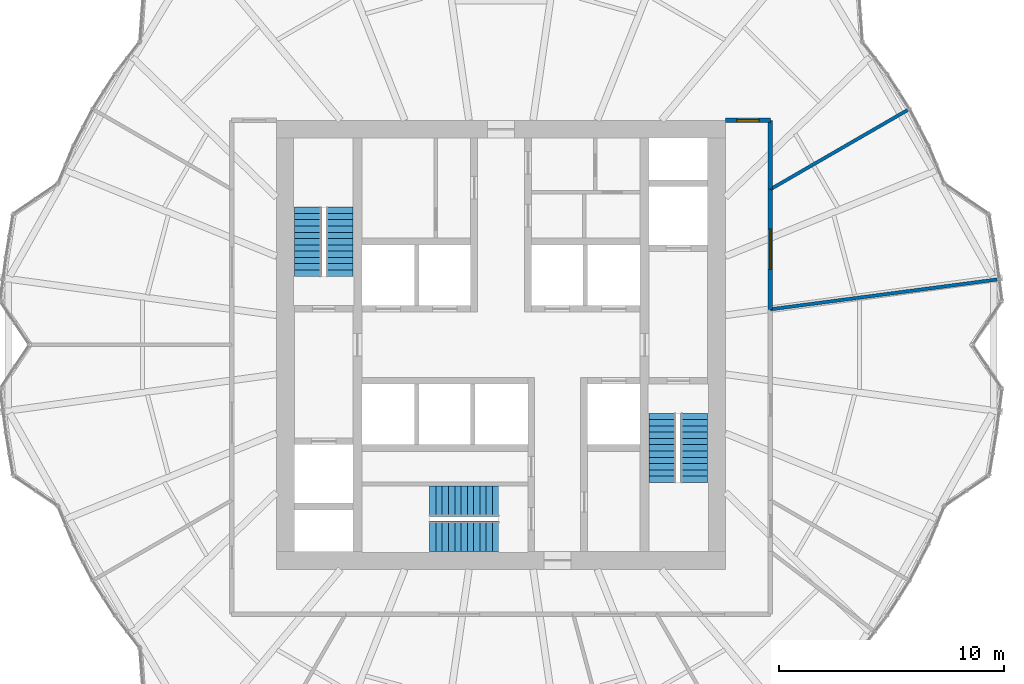
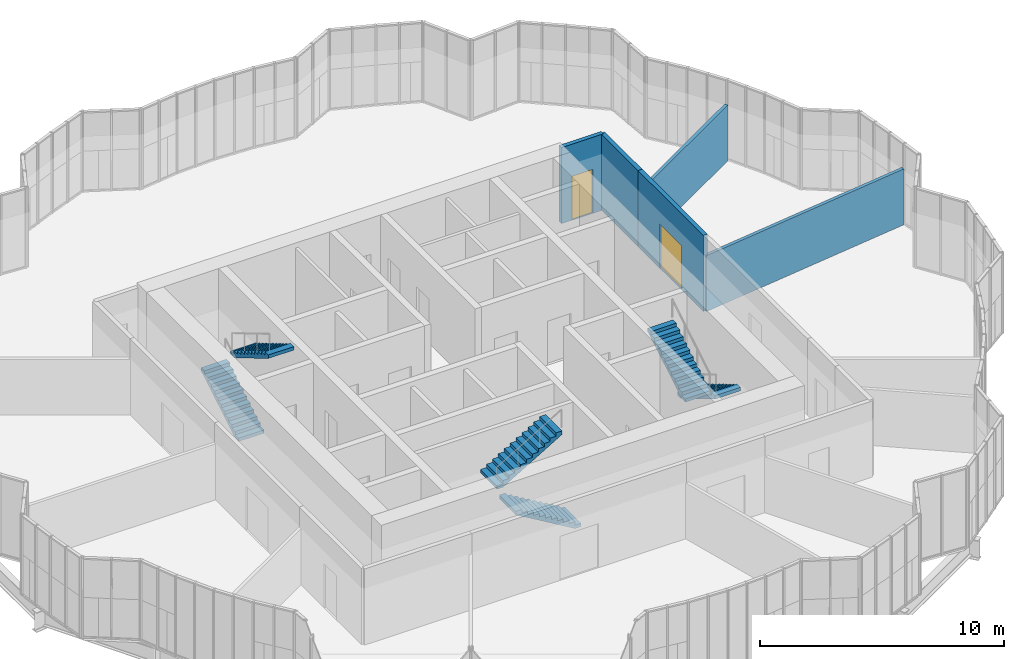
# One storey, part 21 of 22: 6 stair flights, 5 walls, 2 doors, 2 openings, 3 elements without a shape of their own.
"""IFC4 building model written with IfcOpenShell, lengths in metres."""

from ifc_helpers import new_model, si_unit, direction, frame, frame_2d, origin, place, context, subcontext, project, spatial, polyline, rectangle, outline, extrude, material, layer, layer_set, type_object, element, fill, aggregate, save


model = new_model("IFC4")

# Units and contexts
model_context = context("Model", 3, precision=1e-05, world=origin(), true_north=direction((0.0, 1.0)))
body_context = subcontext(model_context, "Body", "Model", "MODEL_VIEW")
ifc_project = project(units=[si_unit("LENGTHUNIT", "METRE"), si_unit("AREAUNIT", "SQUARE_METRE"), si_unit("VOLUMEUNIT", "CUBIC_METRE"), si_unit("PLANEANGLEUNIT", "RADIAN"), si_unit("MASSUNIT", "GRAM", prefix="KILO")], contexts=[model_context])

# Site, building, storey
site_placement = place(None, origin())
site = spatial("IfcSite", under=ifc_project, at=site_placement, CompositionType="ELEMENT")
building_placement = place(site_placement, origin())
building = spatial("IfcBuilding", under=site, at=building_placement, Name="Golbaran Civic Tower", CompositionType="ELEMENT")
storey_placement = place(building_placement, frame((0.0, 0.0, 29.0)))
storey = spatial("IfcBuildingStorey", under=building, at=storey_placement, Name="L06", CompositionType="ELEMENT", Elevation=29.0)

# Wall, opening, door
ifc_material_1 = material(Name="Gypsum board on steel studs, fire-rated", Category="steel")
ifc_layer_1 = layer(ifc_material_1, 0.199951171875, Name="Gypsum board on steel studs, fire-rated")
ifc_layer_set_1 = layer_set([ifc_layer_1], Name="Gypsum board on steel studs, fire-rated")
wall_type_1 = type_object("IfcWallType", Name="CORRIDOR WALL 200", PredefinedType="PARTITIONING", material=ifc_layer_set_1)
wall_1_placement = place(storey_placement, frame((12.0, 1.579833984375, 0.0), z_axis=(0.0, 0.0, 1.0), x_axis=(0.0, 1.0, 0.0)))
wall_1 = element("IfcWall", 1, at=wall_1_placement, inside=storey, type_object=wall_type_1, Name="Corridor wall L06", PredefinedType="PARTITIONING", context=body_context, shape_type="SweptSolid", body=[
    extrude(rectangle(XDim=5.348388671875, YDim=0.199951171875, at=frame_2d((2.67431640625, 0.0))), origin(), (0.0, 0.0, 1.0), 3.800048828125),
])
opening_1_placement = place(wall_1_placement, frame((1.774169921875, 0.0, 0.0)))
opening_1 = element("IfcOpeningElement", 2, at=opening_1_placement, cuts=wall_1, Name="Opening L06.03", PredefinedType="OPENING", context=body_context, shape_type="SweptSolid", body=[
    extrude(rectangle(XDim=1.800048828125, YDim=2.199951171875, at=frame_2d((0.89990234375, 1.10009765625))), frame((0.0, 0.10986328125, 0.0), z_axis=(0.0, -1.0, 0.0), x_axis=(1.0, 0.0, 0.0)), (0.0, 0.0, 1.0), 0.219970703125),
])
ifc_material_2 = material(Name="Timber door set in steel frame", Category="steel")
door_type_1 = type_object("IfcDoorType", Name="OFFICE DOUBLE DOOR 1800x2200", OperationType="DOUBLE_DOOR_SINGLE_SWING", PredefinedType="DOOR", material=ifc_material_2)
door_1_placement = place(opening_1_placement, origin())
door_1 = element("IfcDoor", 3, at=door_1_placement, inside=storey, type_object=door_type_1, Name="Open Office door L06", OperationType="DOUBLE_DOOR_SINGLE_SWING", OverallHeight=2.199951171875, OverallWidth=1.800048828125, PredefinedType="DOOR", context=body_context, shape_type="SweptSolid", body=[
    extrude(rectangle(XDim=1.800048828125, YDim=2.199951171875, at=frame_2d((0.89990234375, 1.10009765625))), frame((0.0, 0.02490234375, 0.0), z_axis=(0.0, -1.0, 0.0), x_axis=(1.0, 0.0, 0.0)), (0.0, 0.0, 1.0), 0.050048828125),
])
fill(opening_1, door_1)

# Wall
wall_2_placement = place(storey_placement, frame((12.0, 6.92822265625, 0.0), z_axis=(0.0, 0.0, 1.0), x_axis=(0.0, 1.0, 0.0)))
element("IfcWall", 4, at=wall_2_placement, inside=storey, type_object=wall_type_1, Name="Corridor wall L06", PredefinedType="PARTITIONING", context=body_context, shape_type="SweptSolid", body=[
    extrude(rectangle(XDim=3.07177734375, YDim=0.199951171875, at=frame_2d((1.535888671875, 0.0))), origin(), (0.0, 0.0, 1.0), 3.800048828125),
])

# Wall, opening, door
wall_3_placement = place(storey_placement, frame((10.0, 10.0, 0.0), z_axis=(0.0, 0.0, 1.0), x_axis=(1.0, 0.0, 0.0)))
wall_3 = element("IfcWall", 5, at=wall_3_placement, inside=storey, type_object=wall_type_1, Name="Corridor end wall L06", PredefinedType="PARTITIONING", context=body_context, shape_type="SweptSolid", body=[
    extrude(rectangle(XDim=2.0, YDim=0.199951171875, at=frame_2d((1.0, 0.0))), origin(), (0.0, 0.0, 1.0), 3.800048828125),
])
opening_2_placement = place(wall_3_placement, frame((0.5, 0.0, 0.0)))
opening_2 = element("IfcOpeningElement", 6, at=opening_2_placement, cuts=wall_3, Name="Opening L06.13", PredefinedType="OPENING", context=body_context, shape_type="SweptSolid", body=[
    extrude(rectangle(XDim=1.0, YDim=2.199951171875, at=frame_2d((0.5, 1.10009765625))), frame((0.0, 0.10986328125, 0.0), z_axis=(0.0, -1.0, 0.0), x_axis=(1.0, 0.0, 0.0)), (0.0, 0.0, 1.0), 0.219970703125),
])
door_type_2 = type_object("IfcDoorType", Name="OFFICE DOOR 1000x2200", OperationType="SINGLE_SWING_LEFT", PredefinedType="DOOR", material=ifc_material_2)
door_2_placement = place(opening_2_placement, origin())
door_2 = element("IfcDoor", 7, at=door_2_placement, inside=storey, type_object=door_type_2, Name="Open Office door L06", OperationType="SINGLE_SWING_LEFT", OverallHeight=2.199951171875, OverallWidth=1.0, PredefinedType="DOOR", context=body_context, shape_type="SweptSolid", body=[
    extrude(rectangle(XDim=1.0, YDim=2.199951171875, at=frame_2d((0.5, 1.10009765625))), frame((0.0, 0.02490234375, 0.0), z_axis=(0.0, -1.0, 0.0), x_axis=(1.0, 0.0, 0.0)), (0.0, 0.0, 1.0), 0.050048828125),
])
fill(opening_2, door_2)

# Walls
ifc_material_3 = material(Name="Gypsum board on steel studs", Category="steel")
ifc_layer_2 = layer(ifc_material_3, 0.14990234375, Name="Gypsum board on steel studs")
ifc_layer_set_2 = layer_set([ifc_layer_2], Name="Gypsum board on steel studs")
wall_type_2 = type_object("IfcWallType", Name="OFFICE PARTITION 150", PredefinedType="PARTITIONING", material=ifc_layer_set_2)
wall_4_placement = place(storey_placement, frame((12.0, 1.579833984375, 0.0), z_axis=(0.0, 0.0, 1.0), x_axis=(0.991443519188, 0.130536386729, 0.0)))
element("IfcWall", 8, at=wall_4_placement, inside=storey, type_object=wall_type_2, Name="Partition 7.5 L06", PredefinedType="PARTITIONING", context=body_context, shape_type="SweptSolid", body=[
    extrude(rectangle(XDim=10.181884765625, YDim=0.14990234375, at=frame_2d((5.0908203125, 0.0))), origin(), (0.0, 0.0, 1.0), 2.7900390625),
])
wall_5_placement = place(storey_placement, frame((12.0, 6.92822265625, 0.0), z_axis=(0.0, 0.0, 1.0), x_axis=(0.86602254688, 0.500004948271, 0.0)))
element("IfcWall", 9, at=wall_5_placement, inside=storey, type_object=wall_type_2, Name="Partition 30 L06", PredefinedType="PARTITIONING", context=body_context, shape_type="SweptSolid", body=[
    extrude(rectangle(XDim=7.05712890625, YDim=0.14990234375, at=frame_2d((3.528564453125, 0.0))), origin(), (0.0, 0.0, 1.0), 2.7900390625),
])

# Stair, stair flights
ifc_material_4 = material(Name="Concrete C35/45", Category="concrete")
stair_type_1 = type_object("IfcStairType", Name="EXIT STAIR 2600 x 7450, 4000 RISE", PredefinedType="HALF_TURN_STAIR", material=ifc_material_4)
stair_1_placement = place(storey_placement, origin())
stair_1 = element("IfcStair", 10, at=stair_1_placement, inside=storey, type_object=stair_type_1, Name="Stair S1 L06", PredefinedType="HALF_TURN_STAIR")
stair_flight_type_1 = type_object("IfcStairFlightType", Name="STAIR FLIGHT 1200 WIDE", PredefinedType="STRAIGHT", material=ifc_material_4)
stair_flight_1_placement = place(storey_placement, frame((-8.60009765625, 3.050048828125, 0.0), z_axis=(0.0, 0.0, 1.0), x_axis=(0.0, 1.0, 0.0)))
stair_flight_1 = element("IfcStairFlight", 11, at=stair_flight_1_placement, type_object=stair_flight_type_1, Name="ST26074-40 flight 1", NumberOfRisers=12, NumberOfTreads=11, PredefinedType="STRAIGHT", RiserHeight=0.166666667, TreadLength=0.28, context=body_context, shape_type="SweptSolid", body=[
    extrude(outline(polyline([(0.0, 0.0), (0.0, 0.166748046875), (0.280029296875, 0.166748046875), (0.280029296875, 0.333251953125), (0.56005859375, 0.333251953125), (0.56005859375, 0.5), (0.840087890625, 0.5), (0.840087890625, 0.666748046875), (1.1201171875, 0.666748046875), (1.1201171875, 0.833251953125), (1.39990234375, 0.833251953125), (1.39990234375, 1.0), (1.679931640625, 1.0), (1.679931640625, 1.166748046875), (1.9599609375, 1.166748046875), (1.9599609375, 1.333251953125), (2.239990234375, 1.333251953125), (2.239990234375, 1.5), (2.52001953125, 1.5), (2.52001953125, 1.666748046875), (2.800048828125, 1.666748046875), (2.800048828125, 1.833251953125), (3.080078125, 1.833251953125), (3.080078125, 2.0), (3.080078125, 1.658935546875), (0.29296875, 0.0), (0.0, 0.0)])), frame((0.0, 0.60009765625, 0.0), z_axis=(0.0, -1.0, 0.0), x_axis=(1.0, 0.0, 0.0)), (0.0, 0.0, 1.0), 1.199951171875),
])
stair_flight_2_placement = place(storey_placement, frame((-7.199951171875, 6.1298828125, 2.0), z_axis=(0.0, 0.0, 1.0), x_axis=(0.0, -1.0, 0.0)))
stair_flight_2 = element("IfcStairFlight", 12, at=stair_flight_2_placement, type_object=stair_flight_type_1, Name="ST26074-40 flight 2", NumberOfRisers=12, NumberOfTreads=11, PredefinedType="STRAIGHT", RiserHeight=0.166666667, TreadLength=0.28, context=body_context, shape_type="SweptSolid", body=[
    extrude(outline(polyline([(0.0, 0.0), (0.0, 0.166748046875), (0.280029296875, 0.166748046875), (0.280029296875, 0.333251953125), (0.56005859375, 0.333251953125), (0.56005859375, 0.5), (0.840087890625, 0.5), (0.840087890625, 0.666748046875), (1.1201171875, 0.666748046875), (1.1201171875, 0.833251953125), (1.39990234375, 0.833251953125), (1.39990234375, 1.0), (1.679931640625, 1.0), (1.679931640625, 1.166748046875), (1.9599609375, 1.166748046875), (1.9599609375, 1.333251953125), (2.239990234375, 1.333251953125), (2.239990234375, 1.5), (2.52001953125, 1.5), (2.52001953125, 1.666748046875), (2.800048828125, 1.666748046875), (2.800048828125, 1.833251953125), (3.080078125, 1.833251953125), (3.080078125, 2.0), (3.080078125, 1.658935546875), (0.29296875, 0.0), (0.0, 0.0)])), frame((0.0, 0.60009765625, 0.0), z_axis=(0.0, -1.0, 0.0), x_axis=(1.0, 0.0, 0.0)), (0.0, 0.0, 1.0), 1.199951171875),
])
aggregate(stair_1, [stair_flight_1, stair_flight_2])

stair_2_placement = place(storey_placement, origin())
stair_2 = element("IfcStair", 13, at=stair_2_placement, inside=storey, type_object=stair_type_1, Name="Stair S2 L06", PredefinedType="HALF_TURN_STAIR")
stair_flight_3_placement = place(storey_placement, frame((8.60009765625, -3.050048828125, 0.0), z_axis=(0.0, 0.0, 1.0), x_axis=(0.0, -1.0, 0.0)))
stair_flight_3 = element("IfcStairFlight", 14, at=stair_flight_3_placement, type_object=stair_flight_type_1, Name="ST26074-40 flight 1", NumberOfRisers=12, NumberOfTreads=11, PredefinedType="STRAIGHT", RiserHeight=0.166666667, TreadLength=0.28, context=body_context, shape_type="SweptSolid", body=[
    extrude(outline(polyline([(0.0, 0.0), (0.0, 0.166748046875), (0.280029296875, 0.166748046875), (0.280029296875, 0.333251953125), (0.56005859375, 0.333251953125), (0.56005859375, 0.5), (0.840087890625, 0.5), (0.840087890625, 0.666748046875), (1.1201171875, 0.666748046875), (1.1201171875, 0.833251953125), (1.39990234375, 0.833251953125), (1.39990234375, 1.0), (1.679931640625, 1.0), (1.679931640625, 1.166748046875), (1.9599609375, 1.166748046875), (1.9599609375, 1.333251953125), (2.239990234375, 1.333251953125), (2.239990234375, 1.5), (2.52001953125, 1.5), (2.52001953125, 1.666748046875), (2.800048828125, 1.666748046875), (2.800048828125, 1.833251953125), (3.080078125, 1.833251953125), (3.080078125, 2.0), (3.080078125, 1.658935546875), (0.29296875, 0.0), (0.0, 0.0)])), frame((0.0, 0.60009765625, 0.0), z_axis=(0.0, -1.0, 0.0), x_axis=(1.0, 0.0, 0.0)), (0.0, 0.0, 1.0), 1.199951171875),
])
stair_flight_4_placement = place(storey_placement, frame((7.199951171875, -6.1298828125, 2.0), z_axis=(0.0, 0.0, 1.0), x_axis=(0.0, 1.0, 0.0)))
stair_flight_4 = element("IfcStairFlight", 15, at=stair_flight_4_placement, type_object=stair_flight_type_1, Name="ST26074-40 flight 2", NumberOfRisers=12, NumberOfTreads=11, PredefinedType="STRAIGHT", RiserHeight=0.166666667, TreadLength=0.28, context=body_context, shape_type="SweptSolid", body=[
    extrude(outline(polyline([(0.0, 0.0), (0.0, 0.166748046875), (0.280029296875, 0.166748046875), (0.280029296875, 0.333251953125), (0.56005859375, 0.333251953125), (0.56005859375, 0.5), (0.840087890625, 0.5), (0.840087890625, 0.666748046875), (1.1201171875, 0.666748046875), (1.1201171875, 0.833251953125), (1.39990234375, 0.833251953125), (1.39990234375, 1.0), (1.679931640625, 1.0), (1.679931640625, 1.166748046875), (1.9599609375, 1.166748046875), (1.9599609375, 1.333251953125), (2.239990234375, 1.333251953125), (2.239990234375, 1.5), (2.52001953125, 1.5), (2.52001953125, 1.666748046875), (2.800048828125, 1.666748046875), (2.800048828125, 1.833251953125), (3.080078125, 1.833251953125), (3.080078125, 2.0), (3.080078125, 1.658935546875), (0.29296875, 0.0), (0.0, 0.0)])), frame((0.0, 0.60009765625, 0.0), z_axis=(0.0, -1.0, 0.0), x_axis=(1.0, 0.0, 0.0)), (0.0, 0.0, 1.0), 1.199951171875),
])
aggregate(stair_2, [stair_flight_3, stair_flight_4])

stair_type_2 = type_object("IfcStairType", Name="EXIT STAIR 2900 x 7400, 4000 RISE", PredefinedType="HALF_TURN_STAIR", material=ifc_material_4)
stair_3_placement = place(storey_placement, origin())
stair_3 = element("IfcStair", 16, at=stair_3_placement, inside=storey, type_object=stair_type_2, Name="Stair S3 L06", PredefinedType="HALF_TURN_STAIR")
stair_flight_type_2 = type_object("IfcStairFlightType", Name="STAIR FLIGHT 1350 WIDE", PredefinedType="STRAIGHT", material=ifc_material_4)
stair_flight_5_placement = place(storey_placement, frame((-0.10009765625, -8.52490234375, 0.0), z_axis=(0.0, 0.0, 1.0), x_axis=(-1.0, 0.0, 0.0)))
stair_flight_5 = element("IfcStairFlight", 17, at=stair_flight_5_placement, type_object=stair_flight_type_2, Name="ST29074-40 flight 1", NumberOfRisers=12, NumberOfTreads=11, PredefinedType="STRAIGHT", RiserHeight=0.166666667, TreadLength=0.28, context=body_context, shape_type="SweptSolid", body=[
    extrude(outline(polyline([(0.0, 0.0), (0.0, 0.166748046875), (0.280029296875, 0.166748046875), (0.280029296875, 0.333251953125), (0.56005859375, 0.333251953125), (0.56005859375, 0.5), (0.840087890625, 0.5), (0.840087890625, 0.666748046875), (1.1201171875, 0.666748046875), (1.1201171875, 0.833251953125), (1.39990234375, 0.833251953125), (1.39990234375, 1.0), (1.679931640625, 1.0), (1.679931640625, 1.166748046875), (1.9599609375, 1.166748046875), (1.9599609375, 1.333251953125), (2.239990234375, 1.333251953125), (2.239990234375, 1.5), (2.52001953125, 1.5), (2.52001953125, 1.666748046875), (2.800048828125, 1.666748046875), (2.800048828125, 1.833251953125), (3.080078125, 1.833251953125), (3.080078125, 2.0), (3.080078125, 1.658935546875), (0.29296875, 0.0), (0.0, 0.0)])), frame((0.0, 0.675048828125, 0.0), z_axis=(0.0, -1.0, 0.0), x_axis=(1.0, 0.0, 0.0)), (0.0, 0.0, 1.0), 1.35009765625),
])
stair_flight_6_placement = place(storey_placement, frame((-3.179931640625, -6.97509765625, 2.0), z_axis=(0.0, 0.0, 1.0), x_axis=(1.0, 0.0, 0.0)))
stair_flight_6 = element("IfcStairFlight", 18, at=stair_flight_6_placement, type_object=stair_flight_type_2, Name="ST29074-40 flight 2", NumberOfRisers=12, NumberOfTreads=11, PredefinedType="STRAIGHT", RiserHeight=0.166666667, TreadLength=0.28, context=body_context, shape_type="SweptSolid", body=[
    extrude(outline(polyline([(0.0, 0.0), (0.0, 0.166748046875), (0.280029296875, 0.166748046875), (0.280029296875, 0.333251953125), (0.56005859375, 0.333251953125), (0.56005859375, 0.5), (0.840087890625, 0.5), (0.840087890625, 0.666748046875), (1.1201171875, 0.666748046875), (1.1201171875, 0.833251953125), (1.39990234375, 0.833251953125), (1.39990234375, 1.0), (1.679931640625, 1.0), (1.679931640625, 1.166748046875), (1.9599609375, 1.166748046875), (1.9599609375, 1.333251953125), (2.239990234375, 1.333251953125), (2.239990234375, 1.5), (2.52001953125, 1.5), (2.52001953125, 1.666748046875), (2.800048828125, 1.666748046875), (2.800048828125, 1.833251953125), (3.080078125, 1.833251953125), (3.080078125, 2.0), (3.080078125, 1.658935546875), (0.29296875, 0.0), (0.0, 0.0)])), frame((0.0, 0.675048828125, 0.0), z_axis=(0.0, -1.0, 0.0), x_axis=(1.0, 0.0, 0.0)), (0.0, 0.0, 1.0), 1.35009765625),
])
aggregate(stair_3, [stair_flight_5, stair_flight_6])

save(model, "model.ifc")
